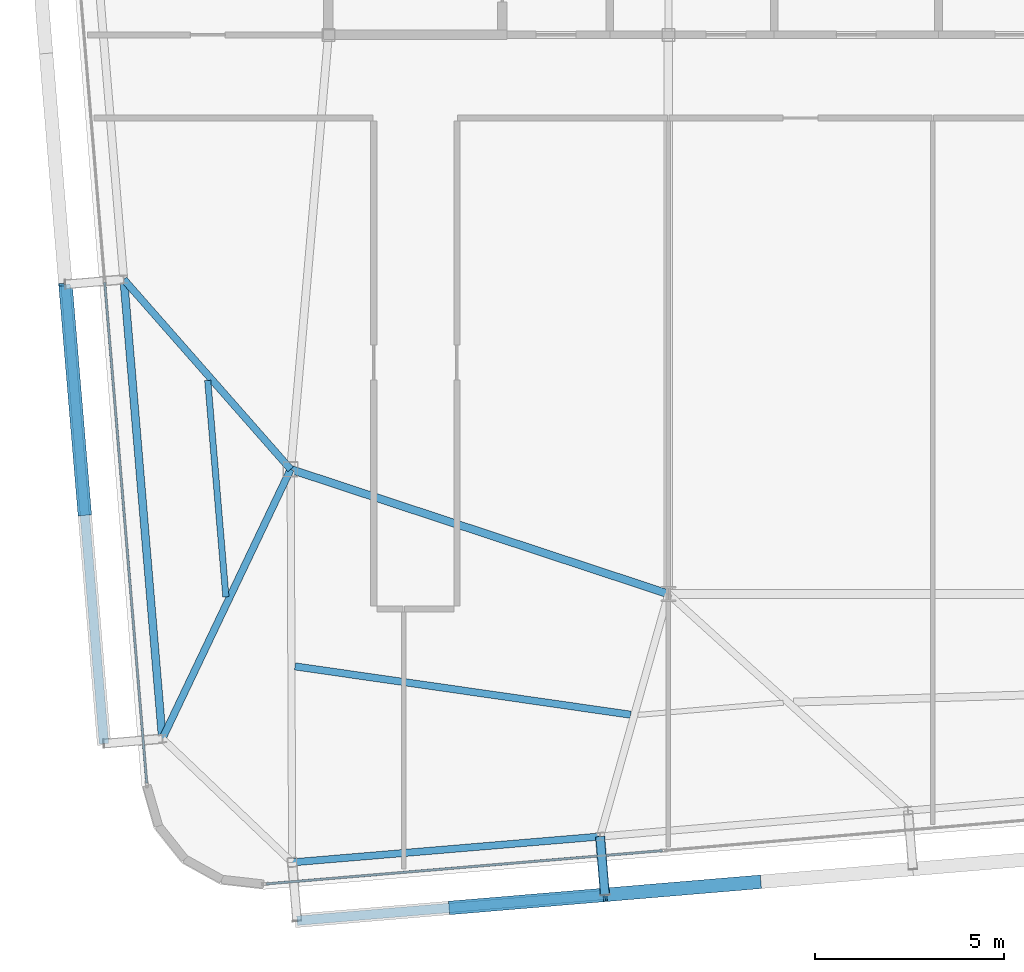
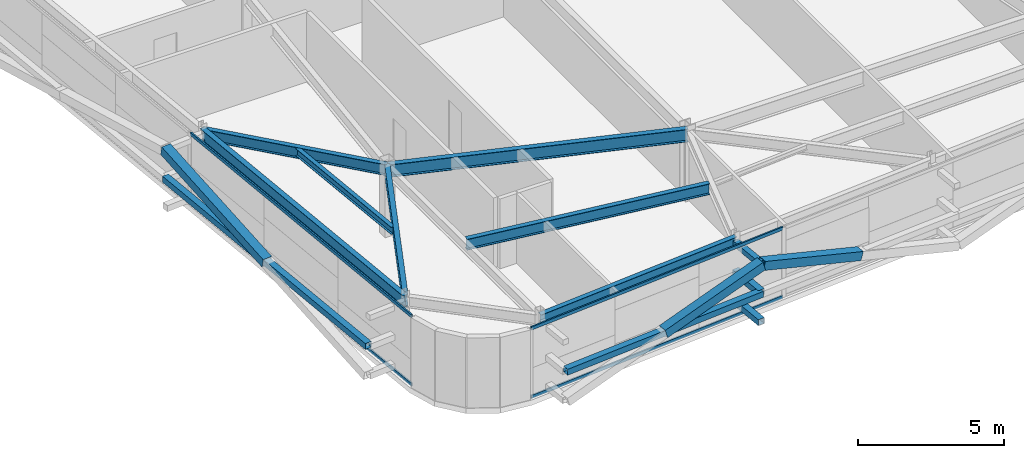
# One storey, part 8 of 39: 12 members, 7 beams, 2 elements without a shape of their own.
"""IFC4 building model written with IfcOpenShell, lengths in metres."""

from ifc_helpers import new_model, si_unit, direction, frame, origin, origin_2d, place, context, subcontext, project, spatial, hollow_rectangle, i_section, extrude, source, transform, mapped, material, layer, layer_set, material_profile, profile_set, type_object, element, aggregate, save


model = new_model("IFC4")

# Units and contexts
model_context = context("Model", 3, precision=1e-05, world=origin(), true_north=direction((0.0, 1.0)))
body_context = subcontext(model_context, "Body", "Model", "MODEL_VIEW")
ifc_project = project(units=[si_unit("LENGTHUNIT", "METRE"), si_unit("AREAUNIT", "SQUARE_METRE"), si_unit("VOLUMEUNIT", "CUBIC_METRE"), si_unit("PLANEANGLEUNIT", "RADIAN"), si_unit("MASSUNIT", "GRAM", prefix="KILO")], contexts=[model_context])

# Site, building, storey
site_placement = place(None, origin())
site = spatial("IfcSite", under=ifc_project, at=site_placement, CompositionType="ELEMENT")
building_placement = place(site_placement, origin())
building = spatial("IfcBuilding", under=site, at=building_placement, Name="Taldren Reach Tower", CompositionType="ELEMENT")
storey_placement = place(building_placement, frame((0.0, 0.0, 178.85009765625)))
storey = spatial("IfcBuildingStorey", under=building, at=storey_placement, Name="L54", CompositionType="ELEMENT", Elevation=178.85009765625)

# Beam
ifc_material_1 = material(Name="Steel Gr 350 (350PLUS)", Category="steel")
ifc_material_profile_1 = material_profile(ifc_material_1, i_section(OverallWidth=0.208984375, OverallDepth=0.532958984375, WebThickness=0.01025390625, FlangeThickness=0.015625, at=origin_2d()), Name="530UB92.4")
ifc_profile_set_1 = profile_set([ifc_material_profile_1], Name="Steel Gr 350 (350PLUS)")
beam_type_1 = type_object("IfcBeamType", Name="BM-UB530A", PredefinedType="BEAM", material=ifc_profile_set_1)
shared_shape_1 = source(origin(), body_context, "Body", "SweptSolid", [
    extrude(i_section(OverallWidth=0.208984375, OverallDepth=0.532958984375, WebThickness=0.01025390625, FlangeThickness=0.015625, at=origin_2d()), origin(), (0.0, 0.0, 1.0), 10.530517578125),
])
beam_1_placement = place(storey_placement, frame((18.0, 12.5, 2.663330078125), z_axis=(0.949627269203, -0.313381635689, 0.0), x_axis=(0.313381635689, 0.949627269203, 0.0)))
element("IfcBeam", 1, at=beam_1_placement, inside=storey, type_object=beam_type_1, Name="Core-spine girder L54-SP10", PredefinedType="BEAM", context=body_context, shape_type="MappedRepresentation", body=[
    mapped(shared_shape_1, transform((0.0, 0.0, 0.0), scale=1.0)),
])

# Members
ifc_material_2 = material(Name="Steel Gr 350 (C350L0)", Category="steel")
ifc_material_profile_2 = material_profile(ifc_material_2, hollow_rectangle(XDim=0.25, YDim=0.25, WallThickness=0.010009765625, at=origin_2d()), Name="250x250x10.0SHS")
ifc_profile_set_2 = profile_set([ifc_material_profile_2], Name="Steel Gr 350 (C350L0)")
member_type_1 = type_object("IfcMemberType", Name="MB-POST250", PredefinedType="POST", material=ifc_profile_set_2)
shared_shape_2 = source(origin(), body_context, "Body", "SweptSolid", [
    extrude(hollow_rectangle(XDim=0.25, YDim=0.25, WallThickness=0.010009765625, at=origin_2d()), origin(), (0.0, 0.0, 1.0), 1.550048828125),
])
for number, where, z_axis, x_axis, name in (
    (2, (26.19091796875, 2.778564453125, 0.219970703125), (0.083632013783, -0.996496706603, 0.0), (0.996496706603, 0.083632013783, 0.0), "Exoskeleton base diaphragm tie strut B4-S2 L54"),
    (3, (26.19091796875, 2.778564453125, 1.434814453125), (0.083632013783, -0.996496706603, 0.0), (0.996496706603, 0.083632013783, 0.0), "Exoskeleton mid-tier diaphragm tie B4-S2 L54"),
):
    element("IfcMember", number, at=place(storey_placement, frame(where, z_axis=z_axis, x_axis=x_axis)), inside=storey, type_object=member_type_1, Name=name, PredefinedType="POST", context=body_context, shape_type="MappedRepresentation", body=[
        mapped(shared_shape_2, transform((0.0, 0.0, 0.0), scale=1.0)),
    ])

# Beams
ifc_material_profile_3 = material_profile(ifc_material_1, i_section(OverallWidth=0.18994140625, OverallDepth=0.4541015625, WebThickness=0.008544921875, FlangeThickness=0.0126953125, at=origin_2d()), Name="460UB67.1")
ifc_profile_set_3 = profile_set([ifc_material_profile_3], Name="Steel Gr 350 (350PLUS)")
beam_type_2 = type_object("IfcBeamType", Name="SP-UB460B", PredefinedType="SPANDREL", material=ifc_profile_set_3)
shared_shape_3 = source(origin(), body_context, "Body", "SweptSolid", [
    extrude(i_section(OverallWidth=0.18994140625, OverallDepth=0.4541015625, WebThickness=0.008544921875, FlangeThickness=0.0126953125, at=origin_2d()), origin(), (0.0, 0.0, 1.0), 8.18017578125),
])
beam_2_placement = place(storey_placement, frame((18.03955078125, 2.093994140625, 2.702880859375), z_axis=(0.996492034688, 0.083687662192, 0.0), x_axis=(-0.083687662192, 0.996492034688, 0.0)))
element("IfcBeam", 4, at=beam_2_placement, inside=storey, type_object=beam_type_2, Name="Perimeter spandrel B4 S1-S2 L54", PredefinedType="SPANDREL", context=body_context, shape_type="MappedRepresentation", body=[
    mapped(shared_shape_3, transform((0.0, 0.0, 0.0), scale=1.0)),
])
ifc_material_profile_4 = material_profile(ifc_material_1, i_section(OverallWidth=0.208984375, OverallDepth=0.528076171875, WebThickness=0.009521484375, FlangeThickness=0.01318359375, at=origin_2d()), Name="530UB82.0")
ifc_profile_set_4 = profile_set([ifc_material_profile_4], Name="Steel Gr 350 (350PLUS)")
beam_type_3 = type_object("IfcBeamType", Name="SP-UB530B", PredefinedType="SPANDREL", material=ifc_profile_set_4)
shared_shape_4 = source(origin(), body_context, "Body", "SweptSolid", [
    extrude(i_section(OverallWidth=0.208984375, OverallDepth=0.528076171875, WebThickness=0.009521484375, FlangeThickness=0.01318359375, at=origin_2d()), origin(), (0.0, 0.0, 1.0), 12.199951171875),
])
beam_3_placement = place(storey_placement, frame((13.582763671875, 17.525146484375, 2.666015625), z_axis=(0.083688038336, -0.996492003099, 0.0), x_axis=(0.996492003099, 0.083688038336, 0.0)))
element("IfcBeam", 5, at=beam_3_placement, inside=storey, type_object=beam_type_3, Name="Perimeter spandrel B4 W2-W1 L54", PredefinedType="SPANDREL", context=body_context, shape_type="MappedRepresentation", body=[
    mapped(shared_shape_4, transform((0.0, 0.0, 0.0), scale=1.0)),
])
ifc_material_profile_5 = material_profile(ifc_material_1, i_section(OverallWidth=0.19091796875, OverallDepth=0.4599609375, WebThickness=0.010009765625, FlangeThickness=0.01611328125, at=origin_2d()), Name="460UB82.1")
ifc_profile_set_5 = profile_set([ifc_material_profile_5], Name="Steel Gr 350 (350PLUS)")
beam_type_4 = type_object("IfcBeamType", Name="BM-UB460A", PredefinedType="BEAM", material=ifc_profile_set_5)
shared_shape_5 = source(origin(), body_context, "Body", "SweptSolid", [
    extrude(i_section(OverallWidth=0.19091796875, OverallDepth=0.4599609375, WebThickness=0.010009765625, FlangeThickness=0.01611328125, at=origin_2d()), origin(), (0.0, 0.0, 1.0), 6.690673828125),
])
beam_4_placement = place(storey_placement, frame((18.0, 12.5, 2.699951171875), z_axis=(-0.660215677485, 0.751076067521, 0.0), x_axis=(-0.751076067521, -0.660215677485, 0.0)))
element("IfcBeam", 6, at=beam_4_placement, inside=storey, type_object=beam_type_4, Name="Primary floor girder B4-W2 L54", PredefinedType="BEAM", context=body_context, shape_type="MappedRepresentation", body=[
    mapped(shared_shape_5, transform((0.0, 0.0, 0.0), scale=1.0)),
])
shared_shape_6 = source(origin(), body_context, "Body", "SweptSolid", [
    extrude(i_section(OverallWidth=0.19091796875, OverallDepth=0.4599609375, WebThickness=0.010009765625, FlangeThickness=0.01611328125, at=origin_2d()), origin(), (0.0, 0.0, 1.0), 7.8994140625),
])
beam_5_placement = place(storey_placement, frame((18.0, 12.5, 2.699951171875), z_axis=(-0.429934780074, -0.902859947546, 0.0), x_axis=(0.902859947546, -0.429934780074, 0.0)))
element("IfcBeam", 7, at=beam_5_placement, inside=storey, type_object=beam_type_4, Name="Primary floor girder B4-W1 L54", PredefinedType="BEAM", context=body_context, shape_type="MappedRepresentation", body=[
    mapped(shared_shape_6, transform((0.0, 0.0, 0.0), scale=1.0)),
])
shared_shape_7 = source(origin(), body_context, "Body", "SweptSolid", [
    extrude(i_section(OverallWidth=0.19091796875, OverallDepth=0.4599609375, WebThickness=0.010009765625, FlangeThickness=0.01611328125, at=origin_2d()), origin(), (0.0, 0.0, 1.0), 8.9765625),
])
beam_6_placement = place(storey_placement, frame((18.115478515625, 7.283203125, 2.699951171875), z_axis=(0.989776873291, -0.142624475806, 0.0), x_axis=(0.142624475806, 0.989776873291, 0.0)))
element("IfcBeam", 8, at=beam_6_placement, inside=storey, type_object=beam_type_4, Name="Secondary floor beam B4 J1 L54", PredefinedType="BEAM", context=body_context, shape_type="MappedRepresentation", body=[
    mapped(shared_shape_7, transform((0.0, 0.0, 0.0), scale=1.0)),
])
ifc_material_3 = material(Name="Steel Gr 300 (300PLUS, 300 MPa)", Category="steel")
ifc_material_profile_6 = material_profile(ifc_material_3, i_section(OverallWidth=0.166015625, OverallDepth=0.306884765625, WebThickness=0.006591796875, FlangeThickness=0.01171875, at=origin_2d()), Name="310UB46.2")
ifc_profile_set_6 = profile_set([ifc_material_profile_6], Name="Steel Gr 300 (300PLUS, 300 MPa)")
beam_type_5 = type_object("IfcBeamType", Name="JS-UB310", PredefinedType="JOIST", material=ifc_profile_set_6)
shared_shape_8 = source(origin(), body_context, "Body", "SweptSolid", [
    extrude(i_section(OverallWidth=0.166015625, OverallDepth=0.306884765625, WebThickness=0.006591796875, FlangeThickness=0.01171875, at=origin_2d()), origin(), (0.0, 0.0, 1.0), 5.750244140625),
])
beam_7_placement = place(storey_placement, frame((16.285888671875, 9.122802734375, 2.7763671875), z_axis=(-0.083642808993, 0.996495800545, 0.0), x_axis=(-0.996495800545, -0.083642808993, 0.0)))
element("IfcBeam", 9, at=beam_7_placement, inside=storey, type_object=beam_type_5, Name="Secondary floor joist B4 J6 L54", PredefinedType="JOIST", context=body_context, shape_type="MappedRepresentation", body=[
    mapped(shared_shape_8, transform((0.0, 0.0, 0.0), scale=1.0)),
])

# Members
ifc_material_4 = material(Name="Steel Gr 450 (C450L0)", Category="steel")
ifc_material_profile_7 = material_profile(ifc_material_4, hollow_rectangle(XDim=0.219970703125, YDim=0.219970703125, WallThickness=0.00830078125, at=origin_2d()), Name="220x220x8.2SHS")
ifc_profile_set_7 = profile_set([ifc_material_profile_7], Name="Steel Gr 450 (C450L0)")
member_type_2 = type_object("IfcMemberType", Name="MB-TIE219", PredefinedType="STRUT", material=ifc_profile_set_7)
shared_shape_9 = source(origin(), body_context, "Body", "SweptSolid", [
    extrude(hollow_rectangle(XDim=0.219970703125, YDim=0.219970703125, WallThickness=0.00830078125, at=origin_2d()), origin(), (0.0, 0.0, 1.0), 1.550048828125),
])
member_1_placement = place(storey_placement, frame((26.19091796875, 2.778564453125, 2.64990234375), z_axis=(0.083632013783, -0.996496706603, 0.0), x_axis=(0.996496706603, 0.083632013783, 0.0)))
element("IfcMember", 10, at=member_1_placement, inside=storey, type_object=member_type_2, Name="Exoskeleton diaphragm tie strut B4-S2 L54", PredefinedType="STRUT", context=body_context, shape_type="MappedRepresentation", body=[
    mapped(shared_shape_9, transform((0.0, 0.0, 0.0), scale=1.0)),
])
shared_shape_10 = source(origin(), body_context, "Body", "SweptSolid", [
    extrude(hollow_rectangle(XDim=0.25, YDim=0.25, WallThickness=0.010009765625, at=origin_2d()), origin(), (0.0, 0.0, 1.0), 8.1796875),
])
member_2_placement = place(storey_placement, frame((18.16943359375, 0.549560546875, 1.434814453125), z_axis=(0.996494314327, 0.083660513465, 0.0), x_axis=(-0.083660513465, 0.996494314327, 0.0)))
element("IfcMember", 11, at=member_2_placement, inside=storey, type_object=member_type_1, Name="Exoskeleton mid-height ring chord B4-S1 L54", PredefinedType="POST", context=body_context, shape_type="MappedRepresentation", body=[
    mapped(shared_shape_10, transform((0.0, 0.0, 0.0), scale=1.0)),
])
shared_shape_11 = source(origin(), body_context, "Body", "SweptSolid", [
    extrude(hollow_rectangle(XDim=0.25, YDim=0.25, WallThickness=0.010009765625, at=origin_2d()), origin(), (0.0, 0.0, 1.0), 12.199951171875),
])
member_3_placement = place(storey_placement, frame((13.05908203125, 5.23828125, 1.434814453125), z_axis=(-0.083688038336, 0.996492003099, 0.0), x_axis=(-0.996492003099, -0.083688038336, 0.0)))
element("IfcMember", 12, at=member_3_placement, inside=storey, type_object=member_type_1, Name="Exoskeleton mid-height ring chord B4-W1 L54", PredefinedType="POST", context=body_context, shape_type="MappedRepresentation", body=[
    mapped(shared_shape_11, transform((0.0, 0.0, 0.0), scale=1.0)),
])
ifc_material_profile_8 = material_profile(ifc_material_4, hollow_rectangle(XDim=0.360107421875, YDim=0.360107421875, WallThickness=0.0126953125, at=origin_2d()), Name="360x360x12.7SHS")
ifc_profile_set_8 = profile_set([ifc_material_profile_8], Name="Steel Gr 450 (C450L0)")
member_type_3 = type_object("IfcMemberType", Name="MB-EXO356", PredefinedType="BRACE", material=ifc_profile_set_8)
shared_shape_12 = source(origin(), body_context, "Body", "SweptSolid", [
    extrude(hollow_rectangle(XDim=0.360107421875, YDim=0.360107421875, WallThickness=0.0126953125, at=origin_2d()), origin(), (0.0, 0.0, 1.0), 4.2666015625),
])
member_4_placement = place(storey_placement, frame((30.396240234375, 1.576171875, 1.434814453125), z_axis=(-0.955229159097, -0.080222312271, 0.284783486572), x_axis=(0.083687662192, -0.996492034688, 0.0)))
element("IfcMember", 13, at=member_4_placement, inside=storey, type_object=member_type_3, Name="Exoskeleton Diagrid Brace B4-S2 L54", PredefinedType="BRACE", context=body_context, shape_type="MappedRepresentation", body=[
    mapped(shared_shape_12, transform((0.0, 0.0, 0.0), scale=1.0)),
])
shared_shape_13 = source(origin(), body_context, "Body", "SweptSolid", [
    extrude(hollow_rectangle(XDim=0.360107421875, YDim=0.360107421875, WallThickness=0.0126953125, at=origin_2d()), origin(), (0.0, 0.0, 1.0), 4.266357421875),
])
member_5_placement = place(storey_placement, frame((22.2451171875, 0.8916015625, 1.434814453125), z_axis=(0.955224149813, 0.080226697301, 0.284799053113), x_axis=(-0.083692640416, 0.996491616593, 0.0)))
element("IfcMember", 14, at=member_5_placement, inside=storey, type_object=member_type_3, Name="Exoskeleton Diagrid Brace B4-S1 L54", PredefinedType="BRACE", context=body_context, shape_type="MappedRepresentation", body=[
    mapped(shared_shape_13, transform((0.0, 0.0, 0.0), scale=1.0)),
])
shared_shape_14 = source(origin(), body_context, "Body", "SweptSolid", [
    extrude(hollow_rectangle(XDim=0.360107421875, YDim=0.360107421875, WallThickness=0.0126953125, at=origin_2d()), origin(), (0.0, 0.0, 1.0), 6.219970703125),
])
member_6_placement = place(storey_placement, frame((12.548583984375, 11.31689453125, 1.434814453125), z_axis=(-0.082075564879, 0.977291924611, 0.195356330179), x_axis=(-0.996492003099, -0.083688038336, 0.0)))
element("IfcMember", 15, at=member_6_placement, inside=storey, type_object=member_type_3, Name="Exoskeleton Diagrid Brace B4-W1 L54", PredefinedType="BRACE", context=body_context, shape_type="MappedRepresentation", body=[
    mapped(shared_shape_14, transform((0.0, 0.0, 0.0), scale=1.0)),
])

# Curtain wall, members
ifc_material_5 = material(Name="Aluminium and Low-E Glass Unitised System", Category="aluminium")
ifc_layer = layer(ifc_material_5, 0.159912109375)
ifc_layer_set = layer_set([ifc_layer], Name="Aluminium and Low-E Glass Unitised System")
curtain_wall_type = type_object("IfcCurtainWallType", Name="CW-SYS-5", PredefinedType="NOTDEFINED", material=ifc_layer_set)
curtain_wall_1_placement = place(storey_placement, origin())
curtain_wall_1 = element("IfcCurtainWall", 16, at=curtain_wall_1_placement, inside=storey, type_object=curtain_wall_type, Name="Unitised curtain wall CW-L54-S", PredefinedType="NOTDEFINED")
ifc_material_6 = material(Name="Anodised Aluminium 6063-T6", Category="aluminium")
ifc_material_profile_9 = material_profile(ifc_material_6, hollow_rectangle(XDim=0.06005859375, YDim=0.135009765625, WallThickness=0.00341796875, at=origin_2d()), Name="ALU-135x60x3.5RHS")
ifc_profile_set_9 = profile_set([ifc_material_profile_9], Name="Anodised Aluminium 6063-T6")
member_type_4 = type_object("IfcMemberType", Name="CW-TRN-150", PredefinedType="USERDEFINED", material=ifc_profile_set_9)
shared_shape_15 = source(origin(), body_context, "Body", "SweptSolid", [
    extrude(hollow_rectangle(XDim=0.06005859375, YDim=0.135009765625, WallThickness=0.00341796875, at=origin_2d()), origin(), (0.0, 0.0, 1.0), 10.519775390625),
])
member_7_placement = place(storey_placement, frame((17.35498046875, 1.524658203125, 0.02978515625), z_axis=(0.996492094046, 0.083686955404, 0.0), x_axis=(-0.083686955404, 0.996492094046, 0.0)))
member_7 = element("IfcMember", 17, at=member_7_placement, type_object=member_type_4, Name="CW-5 transom 1.1", ObjectType="TRANSOM", PredefinedType="USERDEFINED", context=body_context, shape_type="MappedRepresentation", body=[
    mapped(shared_shape_15, transform((0.0, 0.0, 0.0), scale=1.0)),
])
member_8_placement = place(storey_placement, frame((17.35498046875, 1.524658203125, 2.89990234375), z_axis=(0.996492094046, 0.083686955404, 0.0), x_axis=(-0.083686955404, 0.996492094046, 0.0)))
member_8 = element("IfcMember", 18, at=member_8_placement, type_object=member_type_4, Name="CW-5 transom 1.2", ObjectType="TRANSOM", PredefinedType="USERDEFINED", context=body_context, shape_type="MappedRepresentation", body=[
    mapped(shared_shape_15, transform((0.0, 0.0, 0.0), scale=1.0)),
])
aggregate(curtain_wall_1, [member_7, member_8])

curtain_wall_2_placement = place(storey_placement, origin())
curtain_wall_2 = element("IfcCurtainWall", 19, at=curtain_wall_2_placement, inside=storey, type_object=curtain_wall_type, Name="Unitised curtain wall CW-L54-W", PredefinedType="NOTDEFINED")
shared_shape_16 = source(origin(), body_context, "Body", "SweptSolid", [
    extrude(hollow_rectangle(XDim=0.06005859375, YDim=0.135009765625, WallThickness=0.00341796875, at=origin_2d()), origin(), (0.0, 0.0, 1.0), 13.295166015625),
])
member_9_placement = place(storey_placement, frame((13.077392578125, 17.44775390625, 0.02978515625), z_axis=(0.083680700004, -0.996492619364, 0.0), x_axis=(0.996492619364, 0.083680700004, 0.0)))
member_9 = element("IfcMember", 20, at=member_9_placement, type_object=member_type_4, Name="CW-5 transom 2.1", ObjectType="TRANSOM", PredefinedType="USERDEFINED", context=body_context, shape_type="MappedRepresentation", body=[
    mapped(shared_shape_16, transform((0.0, 0.0, 0.0), scale=1.0)),
])
member_10_placement = place(storey_placement, frame((13.077392578125, 17.44775390625, 2.89990234375), z_axis=(0.083680700004, -0.996492619364, 0.0), x_axis=(0.996492619364, 0.083680700004, 0.0)))
member_10 = element("IfcMember", 21, at=member_10_placement, type_object=member_type_4, Name="CW-5 transom 2.2", ObjectType="TRANSOM", PredefinedType="USERDEFINED", context=body_context, shape_type="MappedRepresentation", body=[
    mapped(shared_shape_16, transform((0.0, 0.0, 0.0), scale=1.0)),
])
aggregate(curtain_wall_2, [member_9, member_10])

save(model, "model.ifc")
